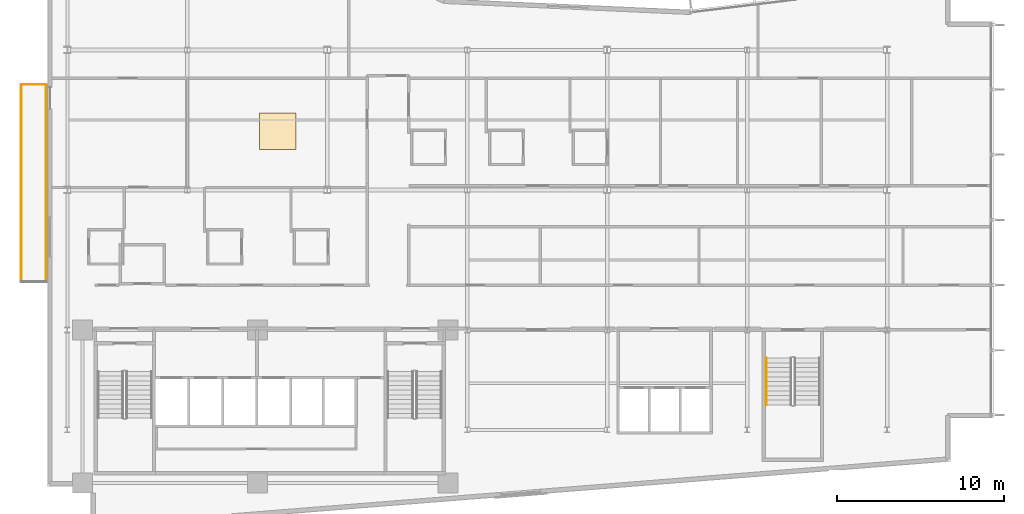
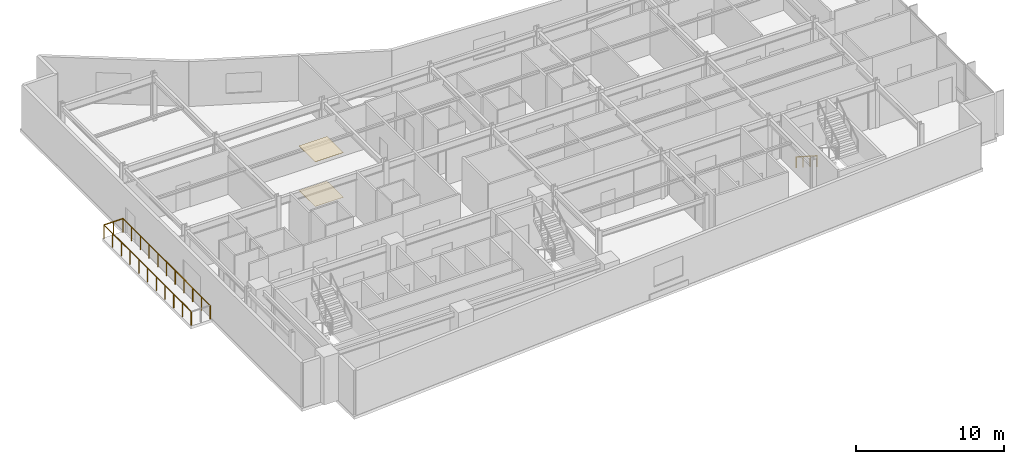
# One storey, part 16 of 19: 4 railings, 2 coverings.
"""IFC4 building model written with IfcOpenShell, lengths in metres."""

from ifc_helpers import new_model, si_unit, direction, frame, origin, origin_2d, place, context, subcontext, project, spatial, rectangle, circle, extrude, material, layer, layer_set, type_object, element, save


model = new_model("IFC4")

# Units and contexts
model_context = context("Model", 3, precision=1e-05, world=origin(), true_north=direction((0.0, 1.0)))
body_context = subcontext(model_context, "Body", "Model", "MODEL_VIEW")
ifc_project = project(units=[si_unit("LENGTHUNIT", "METRE"), si_unit("AREAUNIT", "SQUARE_METRE"), si_unit("VOLUMEUNIT", "CUBIC_METRE"), si_unit("PLANEANGLEUNIT", "RADIAN"), si_unit("MASSUNIT", "GRAM", prefix="KILO")], contexts=[model_context])

# Site, building, storey
site_placement = place(None, origin())
site = spatial("IfcSite", under=ifc_project, at=site_placement, CompositionType="ELEMENT")
building_placement = place(site_placement, origin())
building = spatial("IfcBuilding", under=site, at=building_placement, Name="Varnakote Quay Hospital", CompositionType="ELEMENT")
storey_placement = place(building_placement, frame((0.0, 0.0, 115.199951171875)))
storey = spatial("IfcBuildingStorey", under=building, at=storey_placement, Name="L28", CompositionType="ELEMENT", Elevation=115.199951171875)

# Coverings
ifc_material_1 = material(Name="Antimicrobial acoustic mineral ceiling tile", Category="gypsum")
ifc_layer_1 = layer(ifc_material_1, 0.02490234375)
ifc_layer_set_1 = layer_set([ifc_layer_1], Name="Antimicrobial acoustic mineral ceiling tile")
covering_type_1 = type_object("IfcCoveringType", Name="COV-CLIN-CEIL-25", PredefinedType="CEILING", material=ifc_layer_set_1)
covering_1_placement = place(storey_placement, frame((13.824951171875, 23.9150390625, 3.68505859375), z_axis=(0.0, 0.0, 1.0), x_axis=(1.0, 0.0, 0.0)))
element("IfcCovering", 1, at=covering_1_placement, inside=storey, type_object=covering_type_1, Name="L28 Antimicrobial Acoustic Ceiling Tile", PredefinedType="CEILING", context=body_context, shape_type="SweptSolid", body=[
    extrude(rectangle(XDim=2.199951171875, YDim=2.199951171875, at=origin_2d()), origin(), (0.0, 0.0, 1.0), 0.02490234375),
])
ifc_material_2 = material(Name="Seamless clinical sheet vinyl flooring")
ifc_layer_2 = layer(ifc_material_2, 0.011962890625)
ifc_layer_set_2 = layer_set([ifc_layer_2], Name="Seamless clinical sheet vinyl flooring")
covering_type_2 = type_object("IfcCoveringType", Name="COV-CLIN-VINYL-12", PredefinedType="FLOORING", material=ifc_layer_set_2)
covering_2_placement = place(storey_placement, frame((13.824951171875, 23.9150390625, 0.0), z_axis=(0.0, 0.0, 1.0), x_axis=(1.0, 0.0, 0.0)))
element("IfcCovering", 2, at=covering_2_placement, inside=storey, type_object=covering_type_2, Name="L28 Seamless Clinical Vinyl Flooring", PredefinedType="FLOORING", context=body_context, shape_type="SweptSolid", body=[
    extrude(rectangle(XDim=2.199951171875, YDim=2.199951171875, at=origin_2d()), origin(), (0.0, 0.0, 1.0), 0.011962890625),
])

# Railings
ifc_material_3 = material(Name="Anodised aluminium 6063-T6 Bronze", Category="aluminium")
railing_type_1 = type_object("IfcRailingType", Name="RLG-EXT-GUARD-1150", PredefinedType="GUARDRAIL", material=ifc_material_3)
railing_1_placement = place(storey_placement, frame((-1.56005859375, 14.8798828125, 0.0)))
element("IfcRailing", 3, at=railing_1_placement, inside=storey, type_object=railing_type_1, Name="L28 Zigzag Prow Healing Terrace Safety Guard", PredefinedType="GUARDRAIL", context=body_context, shape_type="SweptSolid", body=[
    extrude(circle(Radius=0.02392578125, at=origin_2d()), frame((0.0, 0.0, 1.1259765625), z_axis=(0.0, 1.0, 0.0), x_axis=(-1.0, 0.0, 0.0)), (0.0, 0.0, 1.0), 11.840087890625),
    extrude(circle(Radius=0.02099609375, at=origin_2d()), origin(), (0.0, 0.0, 1.0), 1.101806640625),
    extrude(circle(Radius=0.02099609375, at=origin_2d()), frame((0.0, 1.18408203125, 0.0)), (0.0, 0.0, 1.0), 1.101806640625),
    extrude(circle(Radius=0.02099609375, at=origin_2d()), frame((0.0, 2.367919921875, 0.0)), (0.0, 0.0, 1.0), 1.101806640625),
    extrude(circle(Radius=0.02099609375, at=origin_2d()), frame((0.0, 3.552001953125, 0.0)), (0.0, 0.0, 1.0), 1.101806640625),
    extrude(circle(Radius=0.02099609375, at=origin_2d()), frame((0.0, 4.736083984375, 0.0)), (0.0, 0.0, 1.0), 1.101806640625),
    extrude(circle(Radius=0.02099609375, at=origin_2d()), frame((0.0, 5.919921875, 0.0)), (0.0, 0.0, 1.0), 1.101806640625),
    extrude(circle(Radius=0.02099609375, at=origin_2d()), frame((0.0, 7.10400390625, 0.0)), (0.0, 0.0, 1.0), 1.101806640625),
    extrude(circle(Radius=0.02099609375, at=origin_2d()), frame((0.0, 8.2880859375, 0.0)), (0.0, 0.0, 1.0), 1.101806640625),
    extrude(circle(Radius=0.02099609375, at=origin_2d()), frame((0.0, 9.47216796875, 0.0)), (0.0, 0.0, 1.0), 1.101806640625),
    extrude(circle(Radius=0.02099609375, at=origin_2d()), frame((0.0, 10.656005859375, 0.0)), (0.0, 0.0, 1.0), 1.101806640625),
    extrude(circle(Radius=0.02099609375, at=origin_2d()), frame((0.0, 11.840087890625, 0.0)), (0.0, 0.0, 1.0), 1.101806640625),
])
railing_2_placement = place(storey_placement, frame((-1.56005859375, 26.719970703125, 0.0)))
element("IfcRailing", 4, at=railing_2_placement, inside=storey, type_object=railing_type_1, Name="L28 Zigzag Prow Healing Terrace Safety Guard", PredefinedType="GUARDRAIL", context=body_context, shape_type="SweptSolid", body=[
    extrude(circle(Radius=0.02392578125, at=origin_2d()), frame((0.0, 0.0, 1.1259765625), z_axis=(1.0, 0.0, 0.0), x_axis=(0.0, 1.0, 0.0)), (0.0, 0.0, 1.0), 1.484130859375),
    extrude(circle(Radius=0.02099609375, at=origin_2d()), origin(), (0.0, 0.0, 1.0), 1.101806640625),
    extrude(circle(Radius=0.02099609375, at=origin_2d()), frame((0.7421875, 0.0, 0.0)), (0.0, 0.0, 1.0), 1.101806640625),
    extrude(circle(Radius=0.02099609375, at=origin_2d()), frame((1.484130859375, 0.0, 0.0)), (0.0, 0.0, 1.0), 1.101806640625),
])
railing_3_placement = place(storey_placement, frame((-0.075927734375, 26.719970703125, 0.0)))
element("IfcRailing", 5, at=railing_3_placement, inside=storey, type_object=railing_type_1, Name="L28 Zigzag Prow Healing Terrace Safety Guard", PredefinedType="GUARDRAIL", context=body_context, shape_type="SweptSolid", body=[
    extrude(circle(Radius=0.02392578125, at=origin_2d()), frame((0.0, 0.0, 1.1259765625), z_axis=(0.0, -1.0, 0.0), x_axis=(1.0, 0.0, 0.0)), (0.0, 0.0, 1.0), 11.840087890625),
    extrude(circle(Radius=0.02099609375, at=origin_2d()), origin(), (0.0, 0.0, 1.0), 1.101806640625),
    extrude(circle(Radius=0.02099609375, at=origin_2d()), frame((0.0, -1.18408203125, 0.0)), (0.0, 0.0, 1.0), 1.101806640625),
    extrude(circle(Radius=0.02099609375, at=origin_2d()), frame((0.0, -2.367919921875, 0.0)), (0.0, 0.0, 1.0), 1.101806640625),
    extrude(circle(Radius=0.02099609375, at=origin_2d()), frame((0.0, -3.552001953125, 0.0)), (0.0, 0.0, 1.0), 1.101806640625),
    extrude(circle(Radius=0.02099609375, at=origin_2d()), frame((0.0, -4.736083984375, 0.0)), (0.0, 0.0, 1.0), 1.101806640625),
    extrude(circle(Radius=0.02099609375, at=origin_2d()), frame((0.0, -5.919921875, 0.0)), (0.0, 0.0, 1.0), 1.101806640625),
    extrude(circle(Radius=0.02099609375, at=origin_2d()), frame((0.0, -7.10400390625, 0.0)), (0.0, 0.0, 1.0), 1.101806640625),
    extrude(circle(Radius=0.02099609375, at=origin_2d()), frame((0.0, -8.2880859375, 0.0)), (0.0, 0.0, 1.0), 1.101806640625),
    extrude(circle(Radius=0.02099609375, at=origin_2d()), frame((0.0, -9.47216796875, 0.0)), (0.0, 0.0, 1.0), 1.101806640625),
    extrude(circle(Radius=0.02099609375, at=origin_2d()), frame((0.0, -10.656005859375, 0.0)), (0.0, 0.0, 1.0), 1.101806640625),
    extrude(circle(Radius=0.02099609375, at=origin_2d()), frame((0.0, -11.840087890625, 0.0)), (0.0, 0.0, 1.0), 1.101806640625),
])
ifc_material_4 = material(Name="Brushed stainless steel handrail", Category="steel")
railing_type_2 = type_object("IfcRailingType", Name="RLG-STAIR-HND-920", PredefinedType="HANDRAIL", material=ifc_material_4)
railing_4_placement = place(storey_placement, frame((43.14990234375, 10.300048828125, 0.1796875)))
element("IfcRailing", 6, at=railing_4_placement, inside=storey, type_object=railing_type_2, Name="L28 ST-03 stair handrail 1", PredefinedType="HANDRAIL", context=body_context, shape_type="SweptSolid", body=[
    extrude(circle(Radius=0.02392578125, at=origin_2d()), frame((0.0, 0.0, 0.8759765625), z_axis=(0.0, -0.841809871826, 0.539774156196), x_axis=(1.0, 0.0, 0.0)), (0.0, 0.0, 1.0), 3.326171875),
    extrude(circle(Radius=0.02099609375, at=origin_2d()), origin(), (0.0, 0.0, 1.0), 0.851806640625),
    extrude(circle(Radius=0.02099609375, at=origin_2d()), frame((0.0, -0.933349609375, 0.598388671875)), (0.0, 0.0, 1.0), 0.851806640625),
    extrude(circle(Radius=0.02099609375, at=origin_2d()), frame((0.0, -1.86669921875, 1.197021484375)), (0.0, 0.0, 1.0), 0.851806640625),
    extrude(circle(Radius=0.02099609375, at=origin_2d()), frame((0.0, -2.800048828125, 1.79541015625)), (0.0, 0.0, 1.0), 0.851806640625),
])

save(model, "model.ifc")
